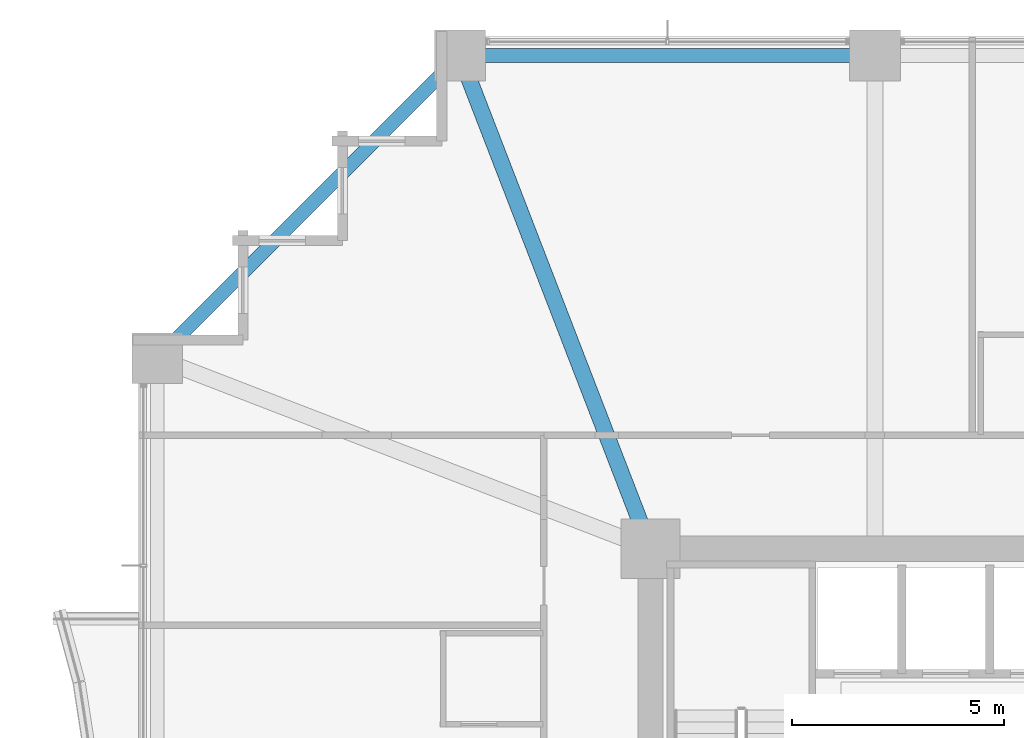
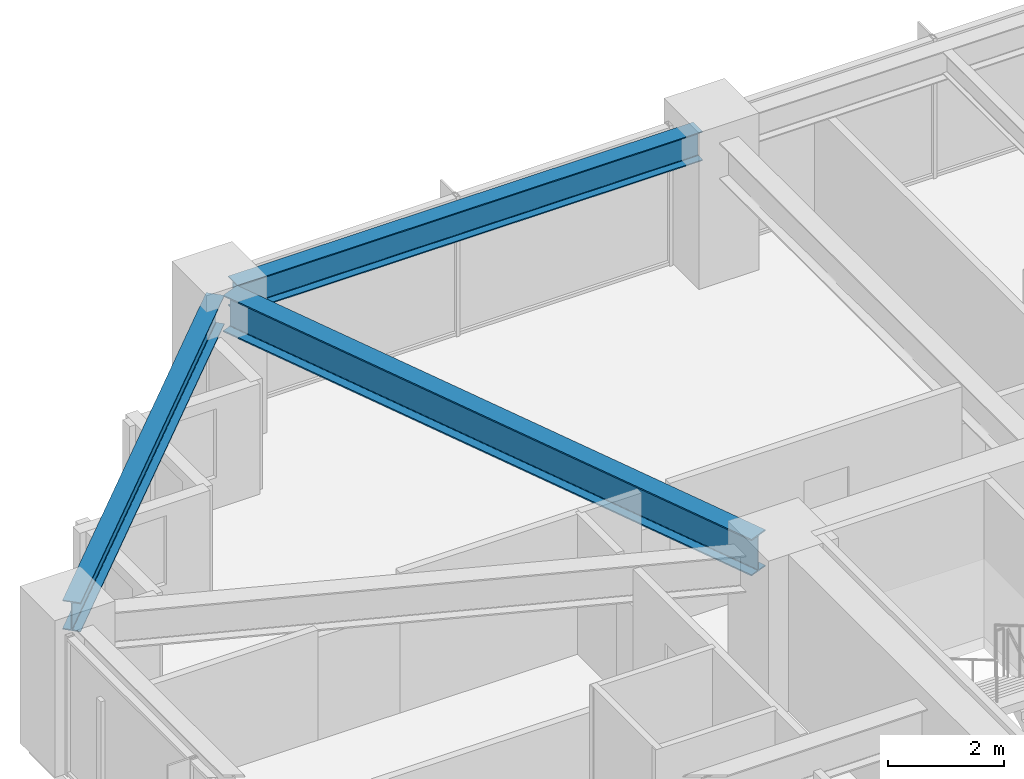
# One storey, part 20 of 38: 3 beams.
"""IFC4 building model written with IfcOpenShell, lengths in metres."""

from ifc_helpers import new_model, si_unit, direction, frame, origin, origin_2d, place, context, subcontext, project, spatial, i_section, extrude, material, material_profile, profile_set, type_object, element, save


model = new_model("IFC4")

# Units and contexts
model_context = context("Model", 3, precision=1e-05, world=origin(), true_north=direction((0.0, 1.0)))
body_context = subcontext(model_context, "Body", "Model", "MODEL_VIEW")
ifc_project = project(units=[si_unit("LENGTHUNIT", "METRE"), si_unit("AREAUNIT", "SQUARE_METRE"), si_unit("VOLUMEUNIT", "CUBIC_METRE"), si_unit("PLANEANGLEUNIT", "RADIAN"), si_unit("MASSUNIT", "GRAM", prefix="KILO")], contexts=[model_context])

# Site, building, storey
site_placement = place(None, origin())
site = spatial("IfcSite", under=ifc_project, at=site_placement, CompositionType="ELEMENT")
building_placement = place(site_placement, origin())
building = spatial("IfcBuilding", under=site, at=building_placement, Name="Kolvaren Belvedere", CompositionType="ELEMENT")
storey_placement = place(building_placement, frame((0.0, 0.0, 60.10009765625)))
storey = spatial("IfcBuildingStorey", under=building, at=storey_placement, Name="L17", CompositionType="ELEMENT", Elevation=60.10009765625)

# Beams
ifc_material_1 = material(Name="Structural steel ASTM A992 Grade 50", Category="steel")
ifc_material_profile_1 = material_profile(ifc_material_1, i_section(OverallWidth=0.381103515625, OverallDepth=0.77294921875, WebThickness=0.0166015625, FlangeThickness=0.027099609375, FilletRadius=0.02392578125, at=origin_2d()), Name="W30X173")
ifc_profile_set_1 = profile_set([ifc_material_profile_1], Name="Structural steel ASTM A992 Grade 50")
beam_type_1 = type_object("IfcBeamType", Name="BM-GIRD-W30X173", PredefinedType="BEAM", material=ifc_profile_set_1)
beam_1_placement = place(storey_placement, frame((-10.09814453125, 10.4130859375, 2.5634765625), z_axis=(-0.360318391835, 0.932829382313, 0.0), x_axis=(-0.932829382313, -0.360318391835, 0.0)))
element("IfcBeam", 1, at=beam_1_placement, inside=storey, type_object=beam_type_1, Name="L17 Corner Core-to-Perimeter Girder CC4-N1", PredefinedType="BEAM", context=body_context, shape_type="SweptSolid", body=[
    extrude(i_section(OverallWidth=0.381103515625, OverallDepth=0.77294921875, WebThickness=0.0166015625, FlangeThickness=0.027099609375, FilletRadius=0.02392578125, at=origin_2d()), origin(), (0.0, 0.0, 1.0), 11.698974609375),
])
ifc_material_2 = material(Name="Structural steel ASTM A992 Grade 50", Category="steel")
ifc_material_profile_2 = material_profile(ifc_material_2, i_section(OverallWidth=0.324951171875, OverallDepth=0.615966796875, WebThickness=0.013916015625, FlangeThickness=0.021484375, FilletRadius=0.02001953125, at=origin_2d()), Name="W24X117")
ifc_profile_set_2 = profile_set([ifc_material_profile_2], Name="Structural steel ASTM A992 Grade 50")
beam_type_2 = type_object("IfcBeamType", Name="BM-SPAN-W24X117", PredefinedType="SPANDREL", material=ifc_profile_set_2)
beam_2_placement = place(storey_placement, frame((-4.8701171875, 21.550048828125, 2.641845703125), z_axis=(-1.0, 0.0, 0.0), x_axis=(0.0, -1.0, 0.0)))
element("IfcBeam", 2, at=beam_2_placement, inside=storey, type_object=beam_type_2, Name="L17 Perimeter Spandrel N2-N1", PredefinedType="SPANDREL", context=body_context, shape_type="SweptSolid", body=[
    extrude(i_section(OverallWidth=0.324951171875, OverallDepth=0.615966796875, WebThickness=0.013916015625, FlangeThickness=0.021484375, FilletRadius=0.02001953125, at=origin_2d()), origin(), (0.0, 0.0, 1.0), 9.259765625),
])
beam_3_placement = place(storey_placement, frame((-14.5908203125, 21.359130859375, 2.641845703125), z_axis=(-0.707106781187, -0.707106781187, 0.0), x_axis=(0.707106781187, -0.707106781187, 0.0)))
element("IfcBeam", 3, at=beam_3_placement, inside=storey, type_object=beam_type_2, Name="L17 Perimeter Spandrel N1-W4", PredefinedType="SPANDREL", context=body_context, shape_type="SweptSolid", body=[
    extrude(i_section(OverallWidth=0.324951171875, OverallDepth=0.615966796875, WebThickness=0.013916015625, FlangeThickness=0.021484375, FilletRadius=0.02001953125, at=origin_2d()), origin(), (0.0, 0.0, 1.0), 9.57177734375),
])

save(model, "model.ifc")
